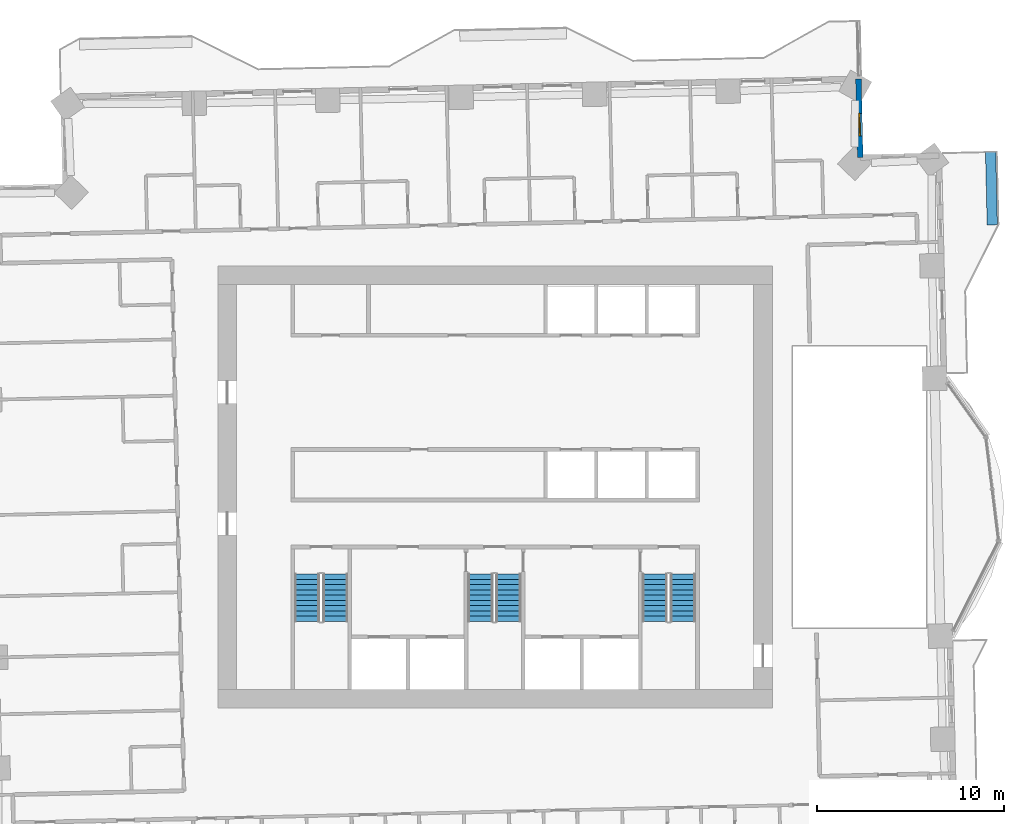
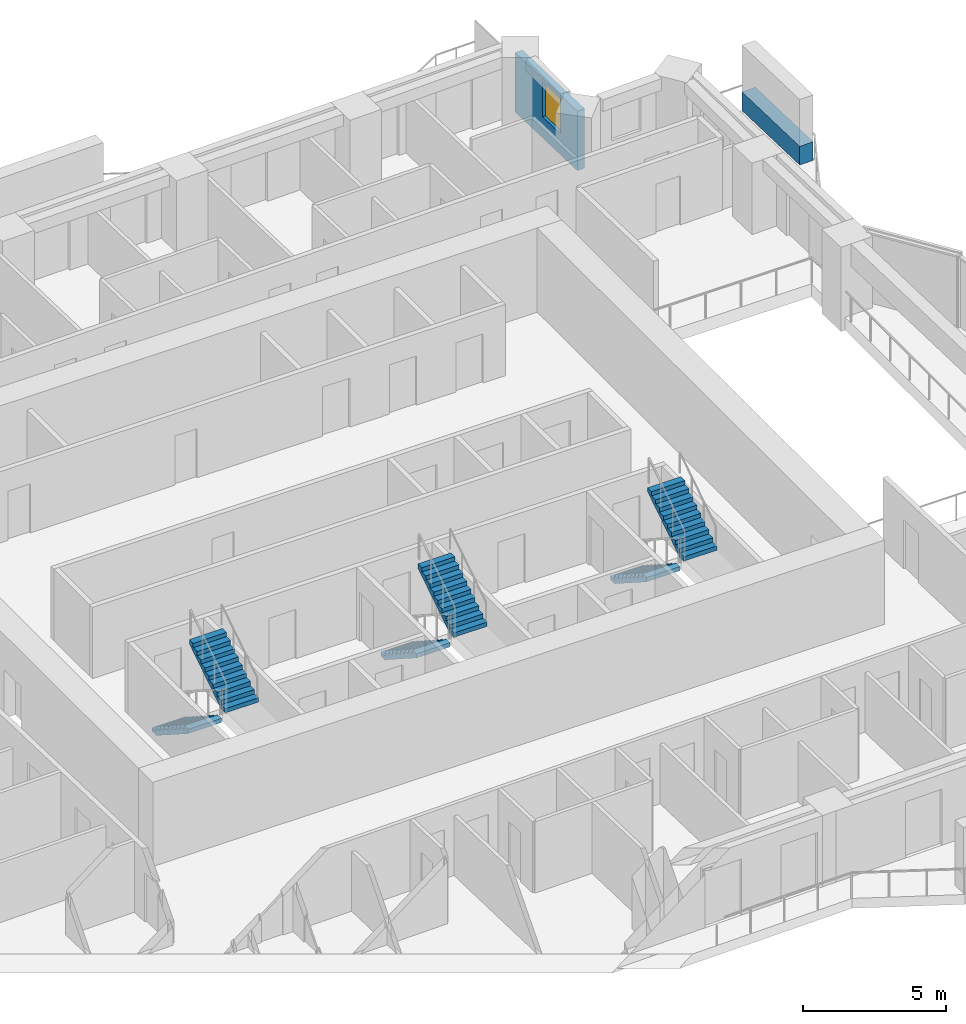
# One storey, part 12 of 16: 6 stair flights, 2 walls, 1 window, 1 opening, 3 elements without a shape of their own.
"""IFC4 building model written with IfcOpenShell, lengths in metres."""

from ifc_helpers import new_model, si_unit, direction, frame, frame_2d, origin, place, context, subcontext, project, spatial, polyline, rectangle, outline, extrude, material, layer, layer_set, type_object, element, fill, aggregate, save


model = new_model("IFC4")

# Units and contexts
model_context = context("Model", 3, precision=1e-05, world=origin(), true_north=direction((0.0, 1.0)))
body_context = subcontext(model_context, "Body", "Model", "MODEL_VIEW")
ifc_project = project(units=[si_unit("LENGTHUNIT", "METRE"), si_unit("AREAUNIT", "SQUARE_METRE"), si_unit("VOLUMEUNIT", "CUBIC_METRE"), si_unit("PLANEANGLEUNIT", "RADIAN"), si_unit("MASSUNIT", "GRAM", prefix="KILO")], contexts=[model_context])

# Site, building, storey
site_placement = place(None, origin())
site = spatial("IfcSite", under=ifc_project, at=site_placement, CompositionType="ELEMENT")
building_placement = place(site_placement, origin())
building = spatial("IfcBuilding", under=site, at=building_placement, Name="Mangrove Gate Tower", CompositionType="ELEMENT")
storey_placement = place(building_placement, frame((0.0, 0.0, 137.300048828125)))
storey = spatial("IfcBuildingStorey", under=building, at=storey_placement, Name="L34", CompositionType="ELEMENT", Elevation=137.300048828125)

# Wall, opening, window
ifc_material_1 = material(Name="Limestone", Category="masonry")
ifc_layer_1 = layer(ifc_material_1, 0.0400390625, Name="Limestone cladding")
ifc_material_2 = material(Name="Ventilated air gap")
ifc_layer_2 = layer(ifc_material_2, 0.0400390625, Name="Ventilated cavity")
ifc_material_3 = material(Name="Mineral wool insulation")
ifc_layer_3 = layer(ifc_material_3, 0.06005859375, Name="Insulation")
ifc_material_4 = material(Name="Breather membrane")
ifc_layer_4 = layer(ifc_material_4, 0.001953125, Name="Breather membrane")
ifc_material_5 = material(Name="Concrete C20/25 blockwork", Category="masonry")
ifc_layer_5 = layer(ifc_material_5, 0.14990234375, Name="Blockwork backing wall")
ifc_material_6 = material(Name="Gypsum plaster")
ifc_layer_6 = layer(ifc_material_6, 0.008056640625, Name="Internal plaster")
ifc_layer_set_1 = layer_set([ifc_layer_1, ifc_layer_2, ifc_layer_3, ifc_layer_4, ifc_layer_5, ifc_layer_6], Name="External wall 300 limestone cladding")
wall_type_1 = type_object("IfcWallType", Name="External wall 300 limestone cladding", PredefinedType="SOLIDWALL", material=ifc_layer_set_1)
wall_1_placement = place(storey_placement, frame((19.490966796875, 17.5830078125, 0.0), z_axis=(0.0, 0.0, 1.0), x_axis=(-0.022611811187, 0.999744320311, 0.0)))
wall_1 = element("IfcWall", 1, at=wall_1_placement, inside=storey, type_object=wall_type_1, Name="WALL-L34-E4", PredefinedType="SOLIDWALL", context=body_context, shape_type="SweptSolid", body=[
    extrude(rectangle(XDim=4.199951171875, YDim=0.300048828125, at=frame_2d((2.10009765625, 0.0))), origin(), (0.0, 0.0, 1.0), 2.550048828125),
])
opening_placement = place(wall_1_placement, frame((1.155029296875, 0.0, 0.89990234375)))
opening = element("IfcOpeningElement", 2, at=opening_placement, cuts=wall_1, Name="Opening W1", PredefinedType="OPENING", context=body_context, shape_type="SweptSolid", body=[
    extrude(rectangle(XDim=1.199951171875, YDim=1.5, at=frame_2d((0.60009765625, 0.75))), frame((0.0, 0.159912109375, 0.0), z_axis=(0.0, -1.0, 0.0), x_axis=(1.0, 0.0, 0.0)), (0.0, 0.0, 1.0), 0.320068359375),
])
ifc_material_7 = material(Name="Aluminium frame with double-glazed low-e glass", Category="aluminium")
window_type = type_object("IfcWindowType", Name="Side lite 1200x1500", PartitioningType="SINGLE_PANEL", PredefinedType="WINDOW", material=ifc_material_7)
window_placement = place(opening_placement, origin())
window = element("IfcWindow", 3, at=window_placement, inside=storey, type_object=window_type, Name="WIN-L34-E4-1", OverallHeight=1.5, OverallWidth=1.199951171875, PartitioningType="SINGLE_PANEL", PredefinedType="WINDOW", context=body_context, shape_type="SweptSolid", body=[
    extrude(rectangle(XDim=1.199951171875, YDim=1.5, at=frame_2d((0.60009765625, 0.75))), frame((0.0, 0.030029296875, 0.0), z_axis=(0.0, -1.0, 0.0), x_axis=(1.0, 0.0, 0.0)), (0.0, 0.0, 1.0), 0.06005859375),
])
fill(opening, window)

# Wall
ifc_material_8 = material(Name="Concrete C32/40", Category="concrete")
ifc_layer_7 = layer(ifc_material_8, 0.199951171875, Name="Planter trough wall")
ifc_material_9 = material(Name="Bituminous waterproofing membrane")
ifc_layer_8 = layer(ifc_material_9, 0.0048828125, Name="Waterproofing")
ifc_material_10 = material(Name="Drainage board and gravel")
ifc_layer_9 = layer(ifc_material_10, 0.044921875, Name="Drainage layer")
ifc_material_11 = material(Name="Planting soil")
ifc_layer_10 = layer(ifc_material_11, 0.300048828125, Name="Growing medium")
ifc_layer_set_2 = layer_set([ifc_layer_7, ifc_layer_8, ifc_layer_9, ifc_layer_10], Name="Planter wall 550 C32/40")
wall_type_2 = type_object("IfcWallType", Name="Planter wall 550 C32/40", PredefinedType="USERDEFINED", material=ifc_layer_set_2)
wall_2_placement = place(storey_placement, frame((26.5390625, 13.992919921875, 0.0), z_axis=(0.0, 0.0, 1.0), x_axis=(-0.022597696753, 0.999744639446, 0.0)))
element("IfcWall", 4, at=wall_2_placement, inside=storey, type_object=wall_type_2, Name="PLANTER L34 E1.1", ObjectType="PLANTER", PredefinedType="USERDEFINED", context=body_context, shape_type="SweptSolid", body=[
    extrude(rectangle(XDim=3.900146484375, YDim=0.550048828125, at=frame_2d((1.9501953125, 0.0))), origin(), (0.0, 0.0, 1.0), 0.800048828125),
])

# Stair, stair flights
ifc_material_12 = material(Name="Concrete C40/50", Category="concrete")
stair_type = type_object("IfcStairType", Name="Core stair 1350", PredefinedType="HALF_TURN_STAIR", material=ifc_material_12)
stair_1_placement = place(storey_placement, origin())
stair_1 = element("IfcStair", 5, at=stair_1_placement, inside=storey, type_object=stair_type, Name="L34 Stair 1", PredefinedType="HALF_TURN_STAIR")
ifc_material_13 = material(Name="Concrete C40/50", Category="concrete")
stair_flight_type = type_object("IfcStairFlightType", Name="Core stair flight 1350", PredefinedType="STRAIGHT", material=ifc_material_13)
stair_flight_1_placement = place(storey_placement, frame((-10.02490234375, -4.64990234375, 0.0), z_axis=(0.0, 0.0, 1.0), x_axis=(0.0, -1.0, 0.0)))
stair_flight_1 = element("IfcStairFlight", 6, at=stair_flight_1_placement, type_object=stair_flight_type, Name="ST1 flight 1", NumberOfRisers=10, NumberOfTreads=9, PredefinedType="STRAIGHT", RiserHeight=0.18, TreadLength=0.28, context=body_context, shape_type="SweptSolid", body=[
    extrude(outline(polyline([(0.0, 0.0), (0.0, 0.179931640625), (0.280029296875, 0.179931640625), (0.280029296875, 0.360107421875), (0.56005859375, 0.360107421875), (0.56005859375, 0.5400390625), (0.840087890625, 0.5400390625), (0.840087890625, 0.719970703125), (1.1201171875, 0.719970703125), (1.1201171875, 0.89990234375), (1.39990234375, 0.89990234375), (1.39990234375, 1.080078125), (1.679931640625, 1.080078125), (1.679931640625, 1.260009765625), (1.9599609375, 1.260009765625), (1.9599609375, 1.43994140625), (2.239990234375, 1.43994140625), (2.239990234375, 1.6201171875), (2.52001953125, 1.6201171875), (2.52001953125, 1.800048828125), (2.52001953125, 1.44189453125), (0.277099609375, 0.0), (0.0, 0.0)])), frame((0.0, 0.675048828125, 0.0), z_axis=(0.0, -1.0, 0.0), x_axis=(1.0, 0.0, 0.0)), (0.0, 0.0, 1.0), 1.35009765625),
])
stair_flight_2_placement = place(storey_placement, frame((-8.52490234375, -7.169921875, 1.800048828125), z_axis=(0.0, 0.0, 1.0), x_axis=(0.0, 1.0, 0.0)))
stair_flight_2 = element("IfcStairFlight", 7, at=stair_flight_2_placement, type_object=stair_flight_type, Name="ST1 flight 2", NumberOfRisers=10, NumberOfTreads=9, PredefinedType="STRAIGHT", RiserHeight=0.18, TreadLength=0.28, context=body_context, shape_type="SweptSolid", body=[
    extrude(outline(polyline([(0.0, 0.0), (0.0, 0.179931640625), (0.280029296875, 0.179931640625), (0.280029296875, 0.360107421875), (0.56005859375, 0.360107421875), (0.56005859375, 0.5400390625), (0.840087890625, 0.5400390625), (0.840087890625, 0.719970703125), (1.1201171875, 0.719970703125), (1.1201171875, 0.89990234375), (1.39990234375, 0.89990234375), (1.39990234375, 1.080078125), (1.679931640625, 1.080078125), (1.679931640625, 1.260009765625), (1.9599609375, 1.260009765625), (1.9599609375, 1.43994140625), (2.239990234375, 1.43994140625), (2.239990234375, 1.6201171875), (2.52001953125, 1.6201171875), (2.52001953125, 1.800048828125), (2.52001953125, 1.44189453125), (0.277099609375, 0.0), (0.0, 0.0)])), frame((0.0, 0.675048828125, 0.0), z_axis=(0.0, -1.0, 0.0), x_axis=(1.0, 0.0, 0.0)), (0.0, 0.0, 1.0), 1.35009765625),
])
aggregate(stair_1, [stair_flight_1, stair_flight_2])

stair_2_placement = place(storey_placement, origin())
stair_2 = element("IfcStair", 8, at=stair_2_placement, inside=storey, type_object=stair_type, Name="L34 Stair 2", PredefinedType="HALF_TURN_STAIR")
stair_flight_3_placement = place(storey_placement, frame((-0.77490234375, -4.64990234375, 0.0), z_axis=(0.0, 0.0, 1.0), x_axis=(0.0, -1.0, 0.0)))
stair_flight_3 = element("IfcStairFlight", 9, at=stair_flight_3_placement, type_object=stair_flight_type, Name="ST2 flight 1", NumberOfRisers=10, NumberOfTreads=9, PredefinedType="STRAIGHT", RiserHeight=0.18, TreadLength=0.28, context=body_context, shape_type="SweptSolid", body=[
    extrude(outline(polyline([(0.0, 0.0), (0.0, 0.179931640625), (0.280029296875, 0.179931640625), (0.280029296875, 0.360107421875), (0.56005859375, 0.360107421875), (0.56005859375, 0.5400390625), (0.840087890625, 0.5400390625), (0.840087890625, 0.719970703125), (1.1201171875, 0.719970703125), (1.1201171875, 0.89990234375), (1.39990234375, 0.89990234375), (1.39990234375, 1.080078125), (1.679931640625, 1.080078125), (1.679931640625, 1.260009765625), (1.9599609375, 1.260009765625), (1.9599609375, 1.43994140625), (2.239990234375, 1.43994140625), (2.239990234375, 1.6201171875), (2.52001953125, 1.6201171875), (2.52001953125, 1.800048828125), (2.52001953125, 1.44189453125), (0.277099609375, 0.0), (0.0, 0.0)])), frame((0.0, 0.675048828125, 0.0), z_axis=(0.0, -1.0, 0.0), x_axis=(1.0, 0.0, 0.0)), (0.0, 0.0, 1.0), 1.35009765625),
])
stair_flight_4_placement = place(storey_placement, frame((0.72509765625, -7.169921875, 1.800048828125), z_axis=(0.0, 0.0, 1.0), x_axis=(0.0, 1.0, 0.0)))
stair_flight_4 = element("IfcStairFlight", 10, at=stair_flight_4_placement, type_object=stair_flight_type, Name="ST2 flight 2", NumberOfRisers=10, NumberOfTreads=9, PredefinedType="STRAIGHT", RiserHeight=0.18, TreadLength=0.28, context=body_context, shape_type="SweptSolid", body=[
    extrude(outline(polyline([(0.0, 0.0), (0.0, 0.179931640625), (0.280029296875, 0.179931640625), (0.280029296875, 0.360107421875), (0.56005859375, 0.360107421875), (0.56005859375, 0.5400390625), (0.840087890625, 0.5400390625), (0.840087890625, 0.719970703125), (1.1201171875, 0.719970703125), (1.1201171875, 0.89990234375), (1.39990234375, 0.89990234375), (1.39990234375, 1.080078125), (1.679931640625, 1.080078125), (1.679931640625, 1.260009765625), (1.9599609375, 1.260009765625), (1.9599609375, 1.43994140625), (2.239990234375, 1.43994140625), (2.239990234375, 1.6201171875), (2.52001953125, 1.6201171875), (2.52001953125, 1.800048828125), (2.52001953125, 1.44189453125), (0.277099609375, 0.0), (0.0, 0.0)])), frame((0.0, 0.675048828125, 0.0), z_axis=(0.0, -1.0, 0.0), x_axis=(1.0, 0.0, 0.0)), (0.0, 0.0, 1.0), 1.35009765625),
])
aggregate(stair_2, [stair_flight_3, stair_flight_4])

stair_3_placement = place(storey_placement, origin())
stair_3 = element("IfcStair", 11, at=stair_3_placement, inside=storey, type_object=stair_type, Name="L34 Stair 3", PredefinedType="HALF_TURN_STAIR")
stair_flight_5_placement = place(storey_placement, frame((8.52490234375, -4.64990234375, 0.0), z_axis=(0.0, 0.0, 1.0), x_axis=(0.0, -1.0, 0.0)))
stair_flight_5 = element("IfcStairFlight", 12, at=stair_flight_5_placement, type_object=stair_flight_type, Name="ST3 flight 1", NumberOfRisers=10, NumberOfTreads=9, PredefinedType="STRAIGHT", RiserHeight=0.18, TreadLength=0.28, context=body_context, shape_type="SweptSolid", body=[
    extrude(outline(polyline([(0.0, 0.0), (0.0, 0.179931640625), (0.280029296875, 0.179931640625), (0.280029296875, 0.360107421875), (0.56005859375, 0.360107421875), (0.56005859375, 0.5400390625), (0.840087890625, 0.5400390625), (0.840087890625, 0.719970703125), (1.1201171875, 0.719970703125), (1.1201171875, 0.89990234375), (1.39990234375, 0.89990234375), (1.39990234375, 1.080078125), (1.679931640625, 1.080078125), (1.679931640625, 1.260009765625), (1.9599609375, 1.260009765625), (1.9599609375, 1.43994140625), (2.239990234375, 1.43994140625), (2.239990234375, 1.6201171875), (2.52001953125, 1.6201171875), (2.52001953125, 1.800048828125), (2.52001953125, 1.44189453125), (0.277099609375, 0.0), (0.0, 0.0)])), frame((0.0, 0.675048828125, 0.0), z_axis=(0.0, -1.0, 0.0), x_axis=(1.0, 0.0, 0.0)), (0.0, 0.0, 1.0), 1.35009765625),
])
stair_flight_6_placement = place(storey_placement, frame((10.02490234375, -7.169921875, 1.800048828125), z_axis=(0.0, 0.0, 1.0), x_axis=(0.0, 1.0, 0.0)))
stair_flight_6 = element("IfcStairFlight", 13, at=stair_flight_6_placement, type_object=stair_flight_type, Name="ST3 flight 2", NumberOfRisers=10, NumberOfTreads=9, PredefinedType="STRAIGHT", RiserHeight=0.18, TreadLength=0.28, context=body_context, shape_type="SweptSolid", body=[
    extrude(outline(polyline([(0.0, 0.0), (0.0, 0.179931640625), (0.280029296875, 0.179931640625), (0.280029296875, 0.360107421875), (0.56005859375, 0.360107421875), (0.56005859375, 0.5400390625), (0.840087890625, 0.5400390625), (0.840087890625, 0.719970703125), (1.1201171875, 0.719970703125), (1.1201171875, 0.89990234375), (1.39990234375, 0.89990234375), (1.39990234375, 1.080078125), (1.679931640625, 1.080078125), (1.679931640625, 1.260009765625), (1.9599609375, 1.260009765625), (1.9599609375, 1.43994140625), (2.239990234375, 1.43994140625), (2.239990234375, 1.6201171875), (2.52001953125, 1.6201171875), (2.52001953125, 1.800048828125), (2.52001953125, 1.44189453125), (0.277099609375, 0.0), (0.0, 0.0)])), frame((0.0, 0.675048828125, 0.0), z_axis=(0.0, -1.0, 0.0), x_axis=(1.0, 0.0, 0.0)), (0.0, 0.0, 1.0), 1.35009765625),
])
aggregate(stair_3, [stair_flight_5, stair_flight_6])

save(model, "model.ifc")
